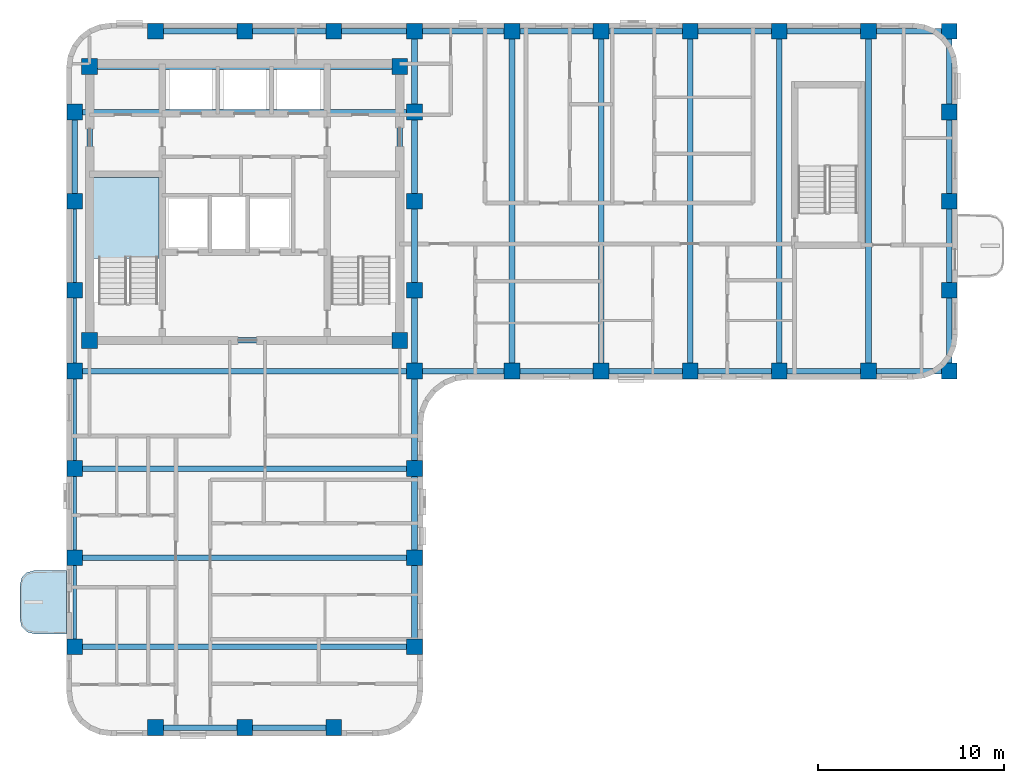
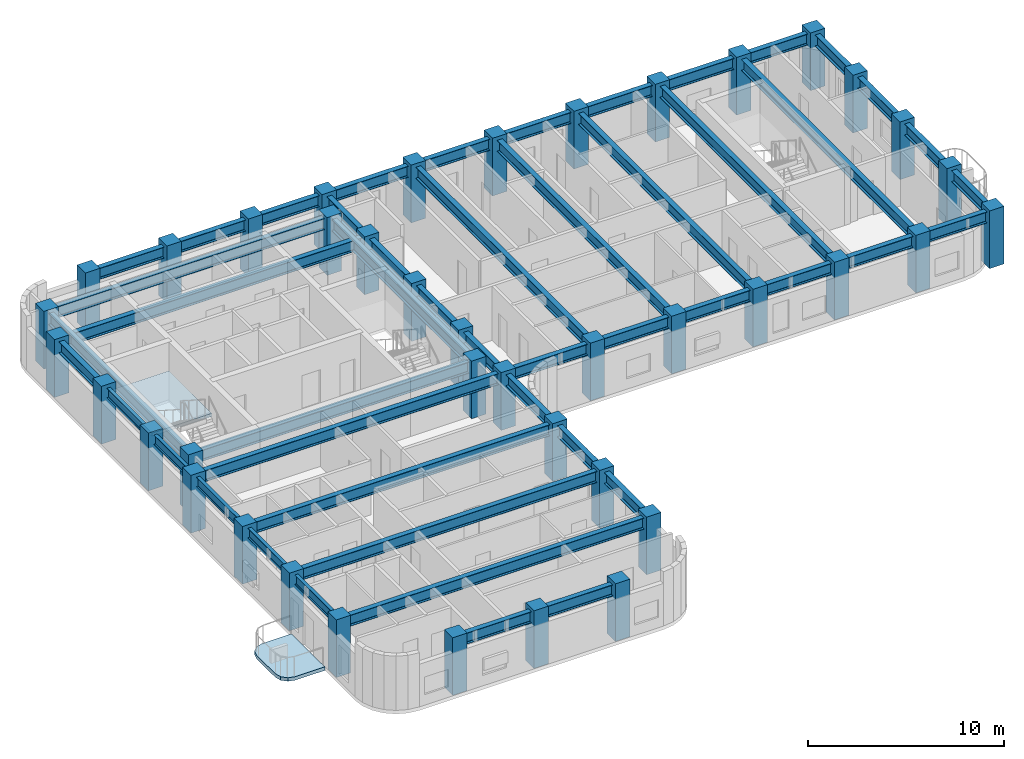
# One storey, part 1 of 10: 48 beams, 40 columns, 2 slabs, 1 element without a shape of its own.
"""IFC4 building model written with IfcOpenShell, lengths in metres."""

from ifc_helpers import new_model, si_unit, direction, frame, origin, origin_2d, place, context, subcontext, project, spatial, polyline, rectangle, i_section, outline, extrude, material, layer, layer_set, material_profile, profile_set, type_object, element, aggregate, save


model = new_model("IFC4")

# Units and contexts
model_context = context("Model", 3, precision=1e-05, world=origin(), true_north=direction((0.0, 1.0)))
body_context = subcontext(model_context, "Body", "Model", "MODEL_VIEW")
ifc_project = project(units=[si_unit("LENGTHUNIT", "METRE"), si_unit("AREAUNIT", "SQUARE_METRE"), si_unit("VOLUMEUNIT", "CUBIC_METRE"), si_unit("PLANEANGLEUNIT", "RADIAN"), si_unit("MASSUNIT", "GRAM", prefix="KILO")], contexts=[model_context])

# Site, building, storey
site_placement = place(None, origin())
site = spatial("IfcSite", under=ifc_project, at=site_placement, CompositionType="ELEMENT")
building_placement = place(site_placement, origin())
building = spatial("IfcBuilding", under=site, at=building_placement, Name="Orvandelia Arch Residences", CompositionType="ELEMENT")
storey_placement = place(building_placement, frame((0.0, 0.0, 225.39990234375)))
storey = spatial("IfcBuildingStorey", under=building, at=storey_placement, Name="L59", CompositionType="ELEMENT", Elevation=225.39990234375)

# Columns
ifc_material_1 = material(Name="Concrete C60/75", Category="concrete")
ifc_material_profile_1 = material_profile(ifc_material_1, rectangle(XDim=0.85009765625, YDim=0.85009765625, at=origin_2d()), Name="Concrete C60/75", Category="concrete")
ifc_profile_set_1 = profile_set([ifc_material_profile_1], Name="Concrete C60/75")
column_type = type_object("IfcColumnType", Name="COL-TWR-850", PredefinedType="COLUMN", material=ifc_profile_set_1)
for number, where, z_axis, x_axis, name in (
    (1, (5.25, 14.39990234375, 0.0), (0.0, 0.0, 1.0), (1.0, 0.0, 0.0), "Structural Column L59-W-W-144"),
    (2, (5.25, 19.199951171875, 0.0), (0.0, 0.0, 1.0), (1.0, 0.0, 0.0), "Structural Column L59-W-W-192"),
    (3, (5.25, 24.0, 0.0), (0.0, 0.0, 1.0), (1.0, 0.0, 0.0), "Structural Column L59-W-W-240"),
    (4, (5.25, 29.25, 0.0), (0.0, 0.0, 1.0), (1.0, 0.0, 0.0), "Structural Column L59-W-W-292"),
    (5, (5.25, 33.60009765625, 0.0), (0.0, 0.0, 1.0), (1.0, 0.0, 0.0), "Structural Column L59-W-W-336"),
    (6, (5.25, 38.39990234375, 0.0), (0.0, 0.0, 1.0), (1.0, 0.0, 0.0), "Structural Column L59-W-W-384"),
    (7, (5.25, 43.199951171875, 0.0), (0.0, 0.0, 1.0), (1.0, 0.0, 0.0), "Structural Column L59-W-W-432"),
    (8, (6.050048828125, 30.89990234375, 0.0), (0.0, 0.0, 1.0), (1.0, 0.0, 0.0), "Structural Column L59-CR-SW"),
    (9, (6.050048828125, 45.64990234375, 0.0), (0.0, 0.0, 1.0), (1.0, 0.0, 0.0), "Structural Column L59-CR-NW"),
    (10, (9.60009765625, 10.050048828125, 0.0), (0.0, 0.0, 1.0), (1.0, 0.0, 0.0), "Structural Column L59-W-S-96"),
    (11, (9.60009765625, 47.550048828125, 0.0), (0.0, 0.0, 1.0), (1.0, 0.0, 0.0), "Structural Column L59-W-N-96"),
    (12, (14.39990234375, 10.050048828125, 0.0), (0.0, 0.0, 1.0), (1.0, 0.0, 0.0), "Structural Column L59-W-S-144"),
    (13, (14.39990234375, 47.550048828125, 0.0), (0.0, 0.0, 1.0), (1.0, 0.0, 0.0), "Structural Column L59-W-N-144"),
    (14, (19.199951171875, 10.050048828125, 0.0), (0.0, 0.0, 1.0), (1.0, 0.0, 0.0), "Structural Column L59-W-S-192"),
    (15, (19.199951171875, 47.550048828125, 0.0), (0.0, 0.0, 1.0), (1.0, 0.0, 0.0), "Structural Column L59-W-N-192"),
    (16, (22.75, 30.89990234375, 0.0), (0.0, 0.0, 1.0), (1.0, 0.0, 0.0), "Structural Column L59-CR-SE"),
    (17, (22.75, 45.64990234375, 0.0), (0.0, 0.0, 1.0), (1.0, 0.0, 0.0), "Structural Column L59-CR-NE"),
    (18, (23.550048828125, 14.39990234375, 0.0), (0.0, 0.0, 1.0), (1.0, 0.0, 0.0), "Structural Column L59-W-E-144"),
    (19, (23.550048828125, 19.199951171875, 0.0), (0.0, 0.0, 1.0), (1.0, 0.0, 0.0), "Structural Column L59-W-E-192"),
    (20, (23.550048828125, 24.0, 0.0), (0.0, 0.0, 1.0), (1.0, 0.0, 0.0), "Structural Column L59-W-E-240"),
    (21, (23.550048828125, 29.25, 0.0), (0.0, 0.0, 1.0), (1.0, 0.0, 0.0), "Structural Column L59-W-E-292"),
    (22, (23.550048828125, 33.60009765625, 0.0), (0.0, 0.0, 1.0), (1.0, 0.0, 0.0), "Structural Column L59-W-E-336"),
    (23, (23.550048828125, 38.39990234375, 0.0), (0.0, 0.0, 1.0), (1.0, 0.0, 0.0), "Structural Column L59-W-E-384"),
    (24, (23.550048828125, 43.199951171875, 0.0), (0.0, 0.0, 1.0), (1.0, 0.0, 0.0), "Structural Column L59-W-E-432"),
    (25, (23.550048828125, 47.550048828125, 0.0), (0.0, 0.0, 1.0), (1.0, 0.0, 0.0), "Structural Column L59-W-N-235"),
    (26, (28.800048828125, 29.25, 0.0), (0.0, 0.0, 1.0), (1.0, 0.0, 0.0), "Structural Column L59-E-S-288"),
    (27, (28.800048828125, 47.550048828125, 0.0), (0.0, 0.0, 1.0), (1.0, 0.0, 0.0), "Structural Column L59-E-N-288"),
    (28, (33.60009765625, 29.25, 0.0), (0.0, 0.0, 1.0), (1.0, 0.0, 0.0), "Structural Column L59-E-S-336"),
    (29, (33.60009765625, 47.550048828125, 0.0), (0.0, 0.0, 1.0), (1.0, 0.0, 0.0), "Structural Column L59-E-N-336"),
    (30, (38.39990234375, 29.25, 0.0), (0.0, 0.0, 1.0), (1.0, 0.0, 0.0), "Structural Column L59-E-S-384"),
    (31, (38.39990234375, 47.550048828125, 0.0), (0.0, 0.0, 1.0), (1.0, 0.0, 0.0), "Structural Column L59-E-N-384"),
    (32, (43.199951171875, 29.25, 0.0), (0.0, 0.0, 1.0), (1.0, 0.0, 0.0), "Structural Column L59-E-S-432"),
    (33, (43.199951171875, 47.550048828125, 0.0), (0.0, 0.0, 1.0), (1.0, 0.0, 0.0), "Structural Column L59-E-N-432"),
    (34, (48.0, 29.25, 0.0), (0.0, 0.0, 1.0), (1.0, 0.0, 0.0), "Structural Column L59-E-S-480"),
    (35, (48.0, 47.550048828125, 0.0), (0.0, 0.0, 1.0), (1.0, 0.0, 0.0), "Structural Column L59-E-N-480"),
    (36, (52.35009765625, 29.25, 0.0), (0.0, 0.0, 1.0), (1.0, 0.0, 0.0), "Structural Column L59-E-S-523"),
    (37, (52.35009765625, 33.60009765625, 0.0), (0.0, 0.0, 1.0), (1.0, 0.0, 0.0), "Structural Column L59-E-523-336"),
    (38, (52.35009765625, 38.39990234375, 0.0), (0.0, 0.0, 1.0), (1.0, 0.0, 0.0), "Structural Column L59-E-523-384"),
    (39, (52.35009765625, 43.199951171875, 0.0), (0.0, 0.0, 1.0), (1.0, 0.0, 0.0), "Structural Column L59-E-523-432"),
    (40, (52.35009765625, 47.550048828125, 0.0), (0.0, 0.0, 1.0), (1.0, 0.0, 0.0), "Structural Column L59-E-N-523"),
):
    element("IfcColumn", number, at=place(storey_placement, frame(where, z_axis=z_axis, x_axis=x_axis)), inside=storey, type_object=column_type, Name=name, PredefinedType="COLUMN", context=body_context, shape_type="SweptSolid", body=[
        extrude(rectangle(XDim=0.85009765625, YDim=0.85009765625, at=origin_2d()), origin(), (0.0, 0.0, 1.0), 3.60009765625),
    ])

# Beams
ifc_material_2 = material(Name="Structural Steel SM355 (355 MPa)", Category="steel")
ifc_material_profile_2 = material_profile(ifc_material_2, i_section(OverallWidth=0.300048828125, OverallDepth=0.699951171875, WebThickness=0.012939453125, FlangeThickness=0.02392578125, FilletRadius=0.02392578125, at=origin_2d()), Name="Structural Steel SM355 (355 MPa)", Category="steel")
ifc_profile_set_2 = profile_set([ifc_material_profile_2], Name="Structural Steel SM355 (355 MPa)")
beam_type_1 = type_object("IfcBeamType", Name="BM-GRD-H700", PredefinedType="BEAM", material=ifc_profile_set_2)
beam_1_placement = place(storey_placement, frame((5.25, 38.39990234375, 3.030029296875), z_axis=(0.0, 1.0, 0.0), x_axis=(-1.0, 0.0, 0.0)))
element("IfcBeam", 41, at=beam_1_placement, inside=storey, type_object=beam_type_1, Name="Structural Frame Beam L59-NS-006", PredefinedType="BEAM", context=body_context, shape_type="SweptSolid", body=[
    extrude(i_section(OverallWidth=0.300048828125, OverallDepth=0.699951171875, WebThickness=0.012939453125, FlangeThickness=0.02392578125, FilletRadius=0.02392578125, at=origin_2d()), origin(), (0.0, 0.0, 1.0), 4.800048828125),
])
for number, where, z_axis, x_axis, name in (
    (42, (6.050048828125, 30.89990234375, 3.030029296875), (0.0, 1.0, 0.0), (-1.0, 0.0, 0.0), "Structural Frame Beam L59-NS-007"),
    (43, (22.75, 30.89990234375, 3.030029296875), (0.0, 1.0, 0.0), (-1.0, 0.0, 0.0), "Structural Frame Beam L59-NS-008"),
):
    element("IfcBeam", number, at=place(storey_placement, frame(where, z_axis=z_axis, x_axis=x_axis)), inside=storey, type_object=beam_type_1, Name=name, PredefinedType="BEAM", context=body_context, shape_type="SweptSolid", body=[
        extrude(i_section(OverallWidth=0.300048828125, OverallDepth=0.699951171875, WebThickness=0.012939453125, FlangeThickness=0.02392578125, FilletRadius=0.02392578125, at=origin_2d()), origin(), (0.0, 0.0, 1.0), 14.75),
    ])
for number, where, z_axis, x_axis, name in (
    (44, (23.550048828125, 14.39990234375, 3.030029296875), (0.0, 1.0, 0.0), (-1.0, 0.0, 0.0), "Structural Frame Beam L59-NS-009"),
    (45, (23.550048828125, 19.199951171875, 3.030029296875), (0.0, 1.0, 0.0), (-1.0, 0.0, 0.0), "Structural Frame Beam L59-NS-010"),
):
    element("IfcBeam", number, at=place(storey_placement, frame(where, z_axis=z_axis, x_axis=x_axis)), inside=storey, type_object=beam_type_1, Name=name, PredefinedType="BEAM", context=body_context, shape_type="SweptSolid", body=[
        extrude(i_section(OverallWidth=0.300048828125, OverallDepth=0.699951171875, WebThickness=0.012939453125, FlangeThickness=0.02392578125, FilletRadius=0.02392578125, at=origin_2d()), origin(), (0.0, 0.0, 1.0), 4.800048828125),
    ])
beam_2_placement = place(storey_placement, frame((23.550048828125, 24.0, 3.030029296875), z_axis=(0.0, 1.0, 0.0), x_axis=(-1.0, 0.0, 0.0)))
element("IfcBeam", 46, at=beam_2_placement, inside=storey, type_object=beam_type_1, Name="Structural Frame Beam L59-NS-011", PredefinedType="BEAM", context=body_context, shape_type="SweptSolid", body=[
    extrude(i_section(OverallWidth=0.300048828125, OverallDepth=0.699951171875, WebThickness=0.012939453125, FlangeThickness=0.02392578125, FilletRadius=0.02392578125, at=origin_2d()), origin(), (0.0, 0.0, 1.0), 5.25),
])
beam_3_placement = place(storey_placement, frame((23.550048828125, 29.25, 3.030029296875), z_axis=(0.0, 1.0, 0.0), x_axis=(-1.0, 0.0, 0.0)))
element("IfcBeam", 47, at=beam_3_placement, inside=storey, type_object=beam_type_1, Name="Structural Frame Beam L59-NS-012", PredefinedType="BEAM", context=body_context, shape_type="SweptSolid", body=[
    extrude(i_section(OverallWidth=0.300048828125, OverallDepth=0.699951171875, WebThickness=0.012939453125, FlangeThickness=0.02392578125, FilletRadius=0.02392578125, at=origin_2d()), origin(), (0.0, 0.0, 1.0), 4.35009765625),
])
beam_4_placement = place(storey_placement, frame((23.550048828125, 33.60009765625, 3.030029296875), z_axis=(0.0, 1.0, 0.0), x_axis=(-1.0, 0.0, 0.0)))
element("IfcBeam", 48, at=beam_4_placement, inside=storey, type_object=beam_type_1, Name="Structural Frame Beam L59-NS-013", PredefinedType="BEAM", context=body_context, shape_type="SweptSolid", body=[
    extrude(i_section(OverallWidth=0.300048828125, OverallDepth=0.699951171875, WebThickness=0.012939453125, FlangeThickness=0.02392578125, FilletRadius=0.02392578125, at=origin_2d()), origin(), (0.0, 0.0, 1.0), 4.7998046875),
])
beam_5_placement = place(storey_placement, frame((23.550048828125, 38.39990234375, 3.030029296875), z_axis=(0.0, 1.0, 0.0), x_axis=(-1.0, 0.0, 0.0)))
element("IfcBeam", 49, at=beam_5_placement, inside=storey, type_object=beam_type_1, Name="Structural Frame Beam L59-NS-014", PredefinedType="BEAM", context=body_context, shape_type="SweptSolid", body=[
    extrude(i_section(OverallWidth=0.300048828125, OverallDepth=0.699951171875, WebThickness=0.012939453125, FlangeThickness=0.02392578125, FilletRadius=0.02392578125, at=origin_2d()), origin(), (0.0, 0.0, 1.0), 4.800048828125),
])
beam_6_placement = place(storey_placement, frame((23.550048828125, 43.199951171875, 3.030029296875), z_axis=(0.0, 1.0, 0.0), x_axis=(-1.0, 0.0, 0.0)))
element("IfcBeam", 50, at=beam_6_placement, inside=storey, type_object=beam_type_1, Name="Structural Frame Beam L59-NS-015", PredefinedType="BEAM", context=body_context, shape_type="SweptSolid", body=[
    extrude(i_section(OverallWidth=0.300048828125, OverallDepth=0.699951171875, WebThickness=0.012939453125, FlangeThickness=0.02392578125, FilletRadius=0.02392578125, at=origin_2d()), origin(), (0.0, 0.0, 1.0), 4.35009765625),
])
for number, where, z_axis, x_axis, name in (
    (51, (28.800048828125, 29.25, 3.030029296875), (0.0, 1.0, 0.0), (-1.0, 0.0, 0.0), "Structural Frame Beam L59-NS-016"),
    (52, (33.60009765625, 29.25, 3.030029296875), (0.0, 1.0, 0.0), (-1.0, 0.0, 0.0), "Structural Frame Beam L59-NS-017"),
    (53, (38.39990234375, 29.25, 3.030029296875), (0.0, 1.0, 0.0), (-1.0, 0.0, 0.0), "Structural Frame Beam L59-NS-018"),
    (54, (43.199951171875, 29.25, 3.030029296875), (0.0, 1.0, 0.0), (-1.0, 0.0, 0.0), "Structural Frame Beam L59-NS-019"),
    (55, (48.0, 29.25, 3.030029296875), (0.0, 1.0, 0.0), (-1.0, 0.0, 0.0), "Structural Frame Beam L59-NS-020"),
):
    element("IfcBeam", number, at=place(storey_placement, frame(where, z_axis=z_axis, x_axis=x_axis)), inside=storey, type_object=beam_type_1, Name=name, PredefinedType="BEAM", context=body_context, shape_type="SweptSolid", body=[
        extrude(i_section(OverallWidth=0.300048828125, OverallDepth=0.699951171875, WebThickness=0.012939453125, FlangeThickness=0.02392578125, FilletRadius=0.02392578125, at=origin_2d()), origin(), (0.0, 0.0, 1.0), 18.300048828125),
    ])
beam_7_placement = place(storey_placement, frame((52.35009765625, 29.25, 3.030029296875), z_axis=(0.0, 1.0, 0.0), x_axis=(-1.0, 0.0, 0.0)))
element("IfcBeam", 56, at=beam_7_placement, inside=storey, type_object=beam_type_1, Name="Structural Frame Beam L59-NS-021", PredefinedType="BEAM", context=body_context, shape_type="SweptSolid", body=[
    extrude(i_section(OverallWidth=0.300048828125, OverallDepth=0.699951171875, WebThickness=0.012939453125, FlangeThickness=0.02392578125, FilletRadius=0.02392578125, at=origin_2d()), origin(), (0.0, 0.0, 1.0), 4.35009765625),
])
beam_8_placement = place(storey_placement, frame((52.35009765625, 33.60009765625, 3.030029296875), z_axis=(0.0, 1.0, 0.0), x_axis=(-1.0, 0.0, 0.0)))
element("IfcBeam", 57, at=beam_8_placement, inside=storey, type_object=beam_type_1, Name="Structural Frame Beam L59-NS-022", PredefinedType="BEAM", context=body_context, shape_type="SweptSolid", body=[
    extrude(i_section(OverallWidth=0.300048828125, OverallDepth=0.699951171875, WebThickness=0.012939453125, FlangeThickness=0.02392578125, FilletRadius=0.02392578125, at=origin_2d()), origin(), (0.0, 0.0, 1.0), 4.7998046875),
])
beam_9_placement = place(storey_placement, frame((52.35009765625, 38.39990234375, 3.030029296875), z_axis=(0.0, 1.0, 0.0), x_axis=(-1.0, 0.0, 0.0)))
element("IfcBeam", 58, at=beam_9_placement, inside=storey, type_object=beam_type_1, Name="Structural Frame Beam L59-NS-023", PredefinedType="BEAM", context=body_context, shape_type="SweptSolid", body=[
    extrude(i_section(OverallWidth=0.300048828125, OverallDepth=0.699951171875, WebThickness=0.012939453125, FlangeThickness=0.02392578125, FilletRadius=0.02392578125, at=origin_2d()), origin(), (0.0, 0.0, 1.0), 4.800048828125),
])
beam_10_placement = place(storey_placement, frame((52.35009765625, 43.199951171875, 3.030029296875), z_axis=(0.0, 1.0, 0.0), x_axis=(-1.0, 0.0, 0.0)))
element("IfcBeam", 59, at=beam_10_placement, inside=storey, type_object=beam_type_1, Name="Structural Frame Beam L59-NS-024", PredefinedType="BEAM", context=body_context, shape_type="SweptSolid", body=[
    extrude(i_section(OverallWidth=0.300048828125, OverallDepth=0.699951171875, WebThickness=0.012939453125, FlangeThickness=0.02392578125, FilletRadius=0.02392578125, at=origin_2d()), origin(), (0.0, 0.0, 1.0), 4.35009765625),
])
beam_11_placement = place(storey_placement, frame((9.60009765625, 10.050048828125, 3.030029296875), z_axis=(1.0, 0.0, 0.0), x_axis=(0.0, 1.0, 0.0)))
element("IfcBeam", 60, at=beam_11_placement, inside=storey, type_object=beam_type_1, Name="Structural Frame Girder L59-EW-025", PredefinedType="BEAM", context=body_context, shape_type="SweptSolid", body=[
    extrude(i_section(OverallWidth=0.300048828125, OverallDepth=0.699951171875, WebThickness=0.012939453125, FlangeThickness=0.02392578125, FilletRadius=0.02392578125, at=origin_2d()), origin(), (0.0, 0.0, 1.0), 4.7998046875),
])
beam_12_placement = place(storey_placement, frame((14.39990234375, 10.050048828125, 3.030029296875), z_axis=(1.0, 0.0, 0.0), x_axis=(0.0, 1.0, 0.0)))
element("IfcBeam", 61, at=beam_12_placement, inside=storey, type_object=beam_type_1, Name="Structural Frame Girder L59-EW-026", PredefinedType="BEAM", context=body_context, shape_type="SweptSolid", body=[
    extrude(i_section(OverallWidth=0.300048828125, OverallDepth=0.699951171875, WebThickness=0.012939453125, FlangeThickness=0.02392578125, FilletRadius=0.02392578125, at=origin_2d()), origin(), (0.0, 0.0, 1.0), 4.800048828125),
])
for number, where, z_axis, x_axis, name in (
    (62, (5.25, 14.39990234375, 3.030029296875), (1.0, 0.0, 0.0), (0.0, 1.0, 0.0), "Structural Frame Girder L59-EW-027"),
    (63, (5.25, 19.199951171875, 3.030029296875), (1.0, 0.0, 0.0), (0.0, 1.0, 0.0), "Structural Frame Girder L59-EW-028"),
    (64, (5.25, 24.0, 3.030029296875), (1.0, 0.0, 0.0), (0.0, 1.0, 0.0), "Structural Frame Girder L59-EW-029"),
    (65, (5.25, 29.25, 3.030029296875), (1.0, 0.0, 0.0), (0.0, 1.0, 0.0), "Structural Frame Girder L59-EW-030"),
):
    element("IfcBeam", number, at=place(storey_placement, frame(where, z_axis=z_axis, x_axis=x_axis)), inside=storey, type_object=beam_type_1, Name=name, PredefinedType="BEAM", context=body_context, shape_type="SweptSolid", body=[
        extrude(i_section(OverallWidth=0.300048828125, OverallDepth=0.699951171875, WebThickness=0.012939453125, FlangeThickness=0.02392578125, FilletRadius=0.02392578125, at=origin_2d()), origin(), (0.0, 0.0, 1.0), 18.300048828125),
    ])
beam_13_placement = place(storey_placement, frame((23.550048828125, 29.25, 3.030029296875), z_axis=(1.0, 0.0, 0.0), x_axis=(0.0, 1.0, 0.0)))
element("IfcBeam", 66, at=beam_13_placement, inside=storey, type_object=beam_type_1, Name="Structural Frame Girder L59-EW-031", PredefinedType="BEAM", context=body_context, shape_type="SweptSolid", body=[
    extrude(i_section(OverallWidth=0.300048828125, OverallDepth=0.699951171875, WebThickness=0.012939453125, FlangeThickness=0.02392578125, FilletRadius=0.02392578125, at=origin_2d()), origin(), (0.0, 0.0, 1.0), 5.25),
])
beam_14_placement = place(storey_placement, frame((28.800048828125, 29.25, 3.030029296875), z_axis=(1.0, 0.0, 0.0), x_axis=(0.0, 1.0, 0.0)))
element("IfcBeam", 67, at=beam_14_placement, inside=storey, type_object=beam_type_1, Name="Structural Frame Girder L59-EW-032", PredefinedType="BEAM", context=body_context, shape_type="SweptSolid", body=[
    extrude(i_section(OverallWidth=0.300048828125, OverallDepth=0.699951171875, WebThickness=0.012939453125, FlangeThickness=0.02392578125, FilletRadius=0.02392578125, at=origin_2d()), origin(), (0.0, 0.0, 1.0), 4.800048828125),
])
beam_15_placement = place(storey_placement, frame((33.60009765625, 29.25, 3.030029296875), z_axis=(1.0, 0.0, 0.0), x_axis=(0.0, 1.0, 0.0)))
element("IfcBeam", 68, at=beam_15_placement, inside=storey, type_object=beam_type_1, Name="Structural Frame Girder L59-EW-033", PredefinedType="BEAM", context=body_context, shape_type="SweptSolid", body=[
    extrude(i_section(OverallWidth=0.300048828125, OverallDepth=0.699951171875, WebThickness=0.012939453125, FlangeThickness=0.02392578125, FilletRadius=0.02392578125, at=origin_2d()), origin(), (0.0, 0.0, 1.0), 4.7998046875),
])
for number, where, z_axis, x_axis, name in (
    (69, (38.39990234375, 29.25, 3.030029296875), (1.0, 0.0, 0.0), (0.0, 1.0, 0.0), "Structural Frame Girder L59-EW-034"),
    (70, (43.199951171875, 29.25, 3.030029296875), (1.0, 0.0, 0.0), (0.0, 1.0, 0.0), "Structural Frame Girder L59-EW-035"),
):
    element("IfcBeam", number, at=place(storey_placement, frame(where, z_axis=z_axis, x_axis=x_axis)), inside=storey, type_object=beam_type_1, Name=name, PredefinedType="BEAM", context=body_context, shape_type="SweptSolid", body=[
        extrude(i_section(OverallWidth=0.300048828125, OverallDepth=0.699951171875, WebThickness=0.012939453125, FlangeThickness=0.02392578125, FilletRadius=0.02392578125, at=origin_2d()), origin(), (0.0, 0.0, 1.0), 4.800048828125),
    ])
beam_16_placement = place(storey_placement, frame((48.0, 29.25, 3.030029296875), z_axis=(1.0, 0.0, 0.0), x_axis=(0.0, 1.0, 0.0)))
element("IfcBeam", 71, at=beam_16_placement, inside=storey, type_object=beam_type_1, Name="Structural Frame Girder L59-EW-036", PredefinedType="BEAM", context=body_context, shape_type="SweptSolid", body=[
    extrude(i_section(OverallWidth=0.300048828125, OverallDepth=0.699951171875, WebThickness=0.012939453125, FlangeThickness=0.02392578125, FilletRadius=0.02392578125, at=origin_2d()), origin(), (0.0, 0.0, 1.0), 4.35009765625),
])
beam_17_placement = place(storey_placement, frame((6.050048828125, 30.89990234375, 3.030029296875), z_axis=(1.0, 0.0, 0.0), x_axis=(0.0, 1.0, 0.0)))
element("IfcBeam", 72, at=beam_17_placement, inside=storey, type_object=beam_type_1, Name="Structural Frame Girder L59-EW-037", PredefinedType="BEAM", context=body_context, shape_type="SweptSolid", body=[
    extrude(i_section(OverallWidth=0.300048828125, OverallDepth=0.699951171875, WebThickness=0.012939453125, FlangeThickness=0.02392578125, FilletRadius=0.02392578125, at=origin_2d()), origin(), (0.0, 0.0, 1.0), 16.699951171875),
])
beam_18_placement = place(storey_placement, frame((5.25, 43.199951171875, 3.030029296875), z_axis=(1.0, 0.0, 0.0), x_axis=(0.0, 1.0, 0.0)))
element("IfcBeam", 73, at=beam_18_placement, inside=storey, type_object=beam_type_1, Name="Structural Frame Girder L59-EW-040", PredefinedType="BEAM", context=body_context, shape_type="SweptSolid", body=[
    extrude(i_section(OverallWidth=0.300048828125, OverallDepth=0.699951171875, WebThickness=0.012939453125, FlangeThickness=0.02392578125, FilletRadius=0.02392578125, at=origin_2d()), origin(), (0.0, 0.0, 1.0), 18.300048828125),
])
beam_19_placement = place(storey_placement, frame((6.050048828125, 45.64990234375, 3.030029296875), z_axis=(1.0, 0.0, 0.0), x_axis=(0.0, 1.0, 0.0)))
element("IfcBeam", 74, at=beam_19_placement, inside=storey, type_object=beam_type_1, Name="Structural Frame Girder L59-EW-041", PredefinedType="BEAM", context=body_context, shape_type="SweptSolid", body=[
    extrude(i_section(OverallWidth=0.300048828125, OverallDepth=0.699951171875, WebThickness=0.012939453125, FlangeThickness=0.02392578125, FilletRadius=0.02392578125, at=origin_2d()), origin(), (0.0, 0.0, 1.0), 16.699951171875),
])
beam_20_placement = place(storey_placement, frame((9.60009765625, 47.550048828125, 3.030029296875), z_axis=(1.0, 0.0, 0.0), x_axis=(0.0, 1.0, 0.0)))
element("IfcBeam", 75, at=beam_20_placement, inside=storey, type_object=beam_type_1, Name="Structural Frame Girder L59-EW-042", PredefinedType="BEAM", context=body_context, shape_type="SweptSolid", body=[
    extrude(i_section(OverallWidth=0.300048828125, OverallDepth=0.699951171875, WebThickness=0.012939453125, FlangeThickness=0.02392578125, FilletRadius=0.02392578125, at=origin_2d()), origin(), (0.0, 0.0, 1.0), 4.7998046875),
])
beam_21_placement = place(storey_placement, frame((14.39990234375, 47.550048828125, 3.030029296875), z_axis=(1.0, 0.0, 0.0), x_axis=(0.0, 1.0, 0.0)))
element("IfcBeam", 76, at=beam_21_placement, inside=storey, type_object=beam_type_1, Name="Structural Frame Girder L59-EW-043", PredefinedType="BEAM", context=body_context, shape_type="SweptSolid", body=[
    extrude(i_section(OverallWidth=0.300048828125, OverallDepth=0.699951171875, WebThickness=0.012939453125, FlangeThickness=0.02392578125, FilletRadius=0.02392578125, at=origin_2d()), origin(), (0.0, 0.0, 1.0), 4.800048828125),
])
beam_22_placement = place(storey_placement, frame((19.199951171875, 47.550048828125, 3.030029296875), z_axis=(1.0, 0.0, 0.0), x_axis=(0.0, 1.0, 0.0)))
element("IfcBeam", 77, at=beam_22_placement, inside=storey, type_object=beam_type_1, Name="Structural Frame Girder L59-EW-044", PredefinedType="BEAM", context=body_context, shape_type="SweptSolid", body=[
    extrude(i_section(OverallWidth=0.300048828125, OverallDepth=0.699951171875, WebThickness=0.012939453125, FlangeThickness=0.02392578125, FilletRadius=0.02392578125, at=origin_2d()), origin(), (0.0, 0.0, 1.0), 4.35009765625),
])
beam_23_placement = place(storey_placement, frame((23.550048828125, 47.550048828125, 3.030029296875), z_axis=(1.0, 0.0, 0.0), x_axis=(0.0, 1.0, 0.0)))
element("IfcBeam", 78, at=beam_23_placement, inside=storey, type_object=beam_type_1, Name="Structural Frame Girder L59-EW-045", PredefinedType="BEAM", context=body_context, shape_type="SweptSolid", body=[
    extrude(i_section(OverallWidth=0.300048828125, OverallDepth=0.699951171875, WebThickness=0.012939453125, FlangeThickness=0.02392578125, FilletRadius=0.02392578125, at=origin_2d()), origin(), (0.0, 0.0, 1.0), 5.25),
])
beam_24_placement = place(storey_placement, frame((28.800048828125, 47.550048828125, 3.030029296875), z_axis=(1.0, 0.0, 0.0), x_axis=(0.0, 1.0, 0.0)))
element("IfcBeam", 79, at=beam_24_placement, inside=storey, type_object=beam_type_1, Name="Structural Frame Girder L59-EW-046", PredefinedType="BEAM", context=body_context, shape_type="SweptSolid", body=[
    extrude(i_section(OverallWidth=0.300048828125, OverallDepth=0.699951171875, WebThickness=0.012939453125, FlangeThickness=0.02392578125, FilletRadius=0.02392578125, at=origin_2d()), origin(), (0.0, 0.0, 1.0), 4.800048828125),
])
beam_25_placement = place(storey_placement, frame((33.60009765625, 47.550048828125, 3.030029296875), z_axis=(1.0, 0.0, 0.0), x_axis=(0.0, 1.0, 0.0)))
element("IfcBeam", 80, at=beam_25_placement, inside=storey, type_object=beam_type_1, Name="Structural Frame Girder L59-EW-047", PredefinedType="BEAM", context=body_context, shape_type="SweptSolid", body=[
    extrude(i_section(OverallWidth=0.300048828125, OverallDepth=0.699951171875, WebThickness=0.012939453125, FlangeThickness=0.02392578125, FilletRadius=0.02392578125, at=origin_2d()), origin(), (0.0, 0.0, 1.0), 4.7998046875),
])
for number, where, z_axis, x_axis, name in (
    (81, (38.39990234375, 47.550048828125, 3.030029296875), (1.0, 0.0, 0.0), (0.0, 1.0, 0.0), "Structural Frame Girder L59-EW-048"),
    (82, (43.199951171875, 47.550048828125, 3.030029296875), (1.0, 0.0, 0.0), (0.0, 1.0, 0.0), "Structural Frame Girder L59-EW-049"),
):
    element("IfcBeam", number, at=place(storey_placement, frame(where, z_axis=z_axis, x_axis=x_axis)), inside=storey, type_object=beam_type_1, Name=name, PredefinedType="BEAM", context=body_context, shape_type="SweptSolid", body=[
        extrude(i_section(OverallWidth=0.300048828125, OverallDepth=0.699951171875, WebThickness=0.012939453125, FlangeThickness=0.02392578125, FilletRadius=0.02392578125, at=origin_2d()), origin(), (0.0, 0.0, 1.0), 4.800048828125),
    ])
beam_26_placement = place(storey_placement, frame((48.0, 47.550048828125, 3.030029296875), z_axis=(1.0, 0.0, 0.0), x_axis=(0.0, 1.0, 0.0)))
element("IfcBeam", 83, at=beam_26_placement, inside=storey, type_object=beam_type_1, Name="Structural Frame Girder L59-EW-050", PredefinedType="BEAM", context=body_context, shape_type="SweptSolid", body=[
    extrude(i_section(OverallWidth=0.300048828125, OverallDepth=0.699951171875, WebThickness=0.012939453125, FlangeThickness=0.02392578125, FilletRadius=0.02392578125, at=origin_2d()), origin(), (0.0, 0.0, 1.0), 4.35009765625),
])
ifc_material_profile_3 = material_profile(ifc_material_2, i_section(OverallWidth=0.199951171875, OverallDepth=0.60009765625, WebThickness=0.010986328125, FlangeThickness=0.01708984375, FilletRadius=0.02197265625, at=origin_2d()), Name="Structural Steel SM355 (355 MPa)", Category="steel")
ifc_profile_set_3 = profile_set([ifc_material_profile_3], Name="Structural Steel SM355 (355 MPa)")
beam_type_2 = type_object("IfcBeamType", Name="BM-SPN-H600", PredefinedType="SPANDREL", material=ifc_profile_set_3)
for number, where, z_axis, x_axis, name in (
    (84, (5.25, 14.39990234375, 3.080078125), (0.0, 1.0, 0.0), (-1.0, 0.0, 0.0), "Structural Frame Beam L59-NS-001"),
    (85, (5.25, 19.199951171875, 3.080078125), (0.0, 1.0, 0.0), (-1.0, 0.0, 0.0), "Structural Frame Beam L59-NS-002"),
):
    element("IfcBeam", number, at=place(storey_placement, frame(where, z_axis=z_axis, x_axis=x_axis)), inside=storey, type_object=beam_type_2, Name=name, PredefinedType="SPANDREL", context=body_context, shape_type="SweptSolid", body=[
        extrude(i_section(OverallWidth=0.199951171875, OverallDepth=0.60009765625, WebThickness=0.010986328125, FlangeThickness=0.01708984375, FilletRadius=0.02197265625, at=origin_2d()), origin(), (0.0, 0.0, 1.0), 4.800048828125),
    ])
beam_27_placement = place(storey_placement, frame((5.25, 24.0, 3.080078125), z_axis=(0.0, 1.0, 0.0), x_axis=(-1.0, 0.0, 0.0)))
element("IfcBeam", 86, at=beam_27_placement, inside=storey, type_object=beam_type_2, Name="Structural Frame Beam L59-NS-003", PredefinedType="SPANDREL", context=body_context, shape_type="SweptSolid", body=[
    extrude(i_section(OverallWidth=0.199951171875, OverallDepth=0.60009765625, WebThickness=0.010986328125, FlangeThickness=0.01708984375, FilletRadius=0.02197265625, at=origin_2d()), origin(), (0.0, 0.0, 1.0), 5.25),
])
beam_28_placement = place(storey_placement, frame((5.25, 29.25, 3.080078125), z_axis=(0.0, 1.0, 0.0), x_axis=(-1.0, 0.0, 0.0)))
element("IfcBeam", 87, at=beam_28_placement, inside=storey, type_object=beam_type_2, Name="Structural Frame Beam L59-NS-004", PredefinedType="SPANDREL", context=body_context, shape_type="SweptSolid", body=[
    extrude(i_section(OverallWidth=0.199951171875, OverallDepth=0.60009765625, WebThickness=0.010986328125, FlangeThickness=0.01708984375, FilletRadius=0.02197265625, at=origin_2d()), origin(), (0.0, 0.0, 1.0), 4.35009765625),
])
beam_29_placement = place(storey_placement, frame((5.25, 33.60009765625, 3.080078125), z_axis=(0.0, 1.0, 0.0), x_axis=(-1.0, 0.0, 0.0)))
element("IfcBeam", 88, at=beam_29_placement, inside=storey, type_object=beam_type_2, Name="Structural Frame Beam L59-NS-005", PredefinedType="SPANDREL", context=body_context, shape_type="SweptSolid", body=[
    extrude(i_section(OverallWidth=0.199951171875, OverallDepth=0.60009765625, WebThickness=0.010986328125, FlangeThickness=0.01708984375, FilletRadius=0.02197265625, at=origin_2d()), origin(), (0.0, 0.0, 1.0), 4.7998046875),
])

# Slab
ifc_material_3 = material(Name="Precast concrete C40/50", Category="concrete")
ifc_layer_1 = layer(ifc_material_3, 0.219970703125, Name="Precast concrete C40/50", Category="concrete")
ifc_layer_set_1 = layer_set([ifc_layer_1], Name="Precast concrete C40/50")
slab_type_1 = type_object("IfcSlabType", Name="SLB-BAL-220", PredefinedType="USERDEFINED", material=ifc_layer_set_1)
slab_1_placement = place(storey_placement, frame((0.0, 0.0, -0.219970703125)))
element("IfcSlab", 89, at=slab_1_placement, inside=storey, type_object=slab_type_1, Name="Tree Balcony Cantilever Slab BAL-L59-W1", ObjectType="BALCONY", PredefinedType="USERDEFINED", context=body_context, shape_type="SweptSolid", body=[
    extrude(outline(polyline([(4.800048828125, 15.10009765625), (4.800048828125, 18.5), (3.050048828125, 18.5), (2.675048828125, 18.3994140625), (2.400390625, 18.125), (2.300048828125, 17.75), (2.300048828125, 15.85009765625), (2.400390625, 15.47509765625), (2.675048828125, 15.200439453125), (3.050048828125, 15.10009765625), (4.800048828125, 15.10009765625)])), origin(), (0.0, 0.0, 1.0), 0.219970703125),
])

# Stair, slab
ifc_material_4 = material(Name="Concrete C40/50", Category="concrete")
stair_type = type_object("IfcStairType", Name="STAIR-RC-DOGLEG", PredefinedType="HALF_TURN_STAIR", material=ifc_material_4)
stair_placement = place(storey_placement, origin())
stair = element("IfcStair", 90, at=stair_placement, inside=storey, type_object=stair_type, Name="L59 Protected Exit Stair ST-1", PredefinedType="HALF_TURN_STAIR")
ifc_layer_2 = layer(ifc_material_4, 0.219970703125, Name="Concrete C40/50", Category="concrete")
ifc_layer_set_2 = layer_set([ifc_layer_2], Name="Concrete C40/50")
slab_type_2 = type_object("IfcSlabType", Name="SLB-LANDING-220", PredefinedType="LANDING", material=ifc_layer_set_2)
slab_2_placement = place(storey_placement, frame((0.0, 0.0, 1.60009765625)))
slab_2 = element("IfcSlab", 91, at=slab_2_placement, type_object=slab_type_2, Name="ST-1 landing 1", PredefinedType="LANDING", context=body_context, shape_type="SweptSolid", body=[
    extrude(outline(polyline([(9.800048828125, 35.31005859375), (9.800048828125, 39.68994140625), (6.260009765625, 39.68994140625), (6.260009765625, 35.31005859375), (9.800048828125, 35.31005859375)])), origin(), (0.0, 0.0, 1.0), 0.199951171875),
])
aggregate(stair, [slab_2])

save(model, "model.ifc")
